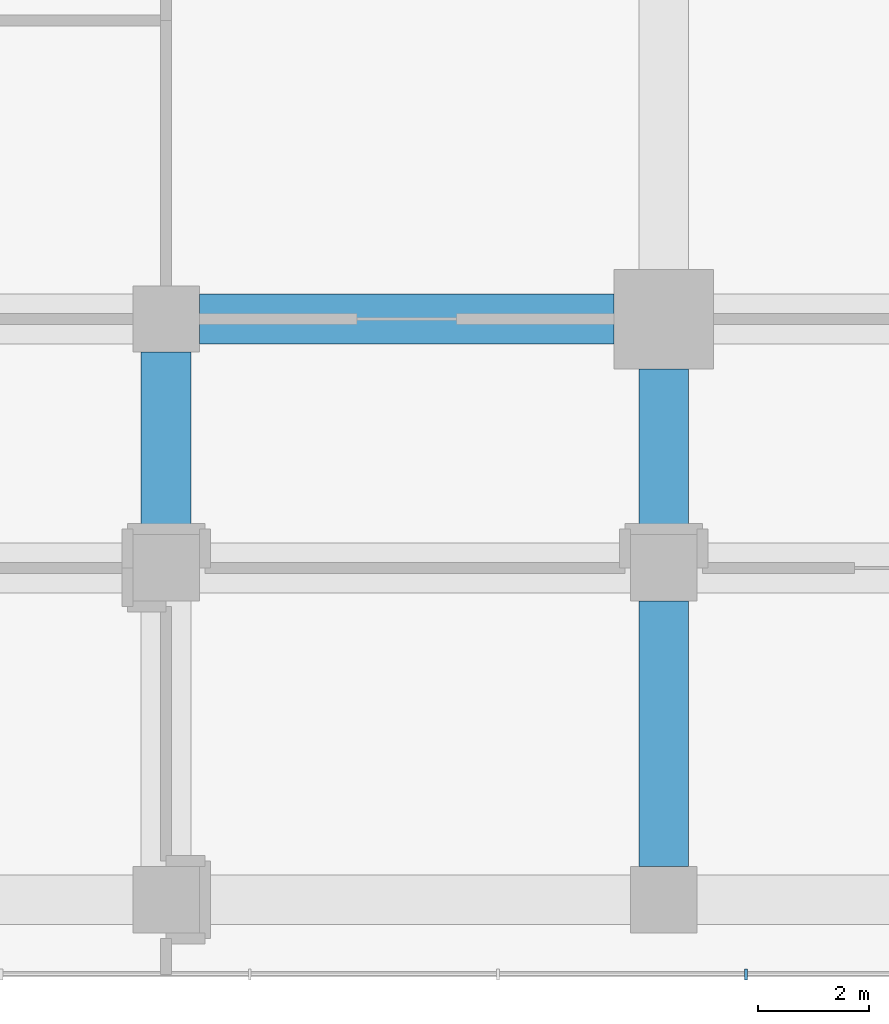
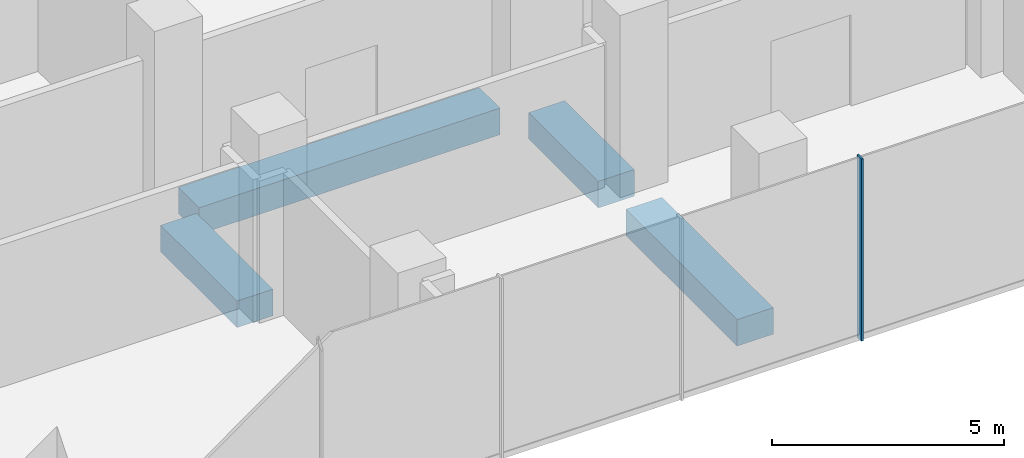
# One storey, part 6 of 42: 4 beams, 1 member, 1 element without a shape of its own.
"""IFC4 building model written with IfcOpenShell, lengths in metres."""

from ifc_helpers import new_model, si_unit, direction, frame, origin, origin_2d, place, context, subcontext, project, spatial, rectangle, extrude, material, layer, layer_set, material_profile, profile_set, type_object, element, aggregate, save


model = new_model("IFC4")

# Units and contexts
model_context = context("Model", 3, precision=1e-05, world=origin(), true_north=direction((0.0, 1.0)))
body_context = subcontext(model_context, "Body", "Model", "MODEL_VIEW")
ifc_project = project(units=[si_unit("LENGTHUNIT", "METRE"), si_unit("AREAUNIT", "SQUARE_METRE"), si_unit("VOLUMEUNIT", "CUBIC_METRE"), si_unit("PLANEANGLEUNIT", "RADIAN"), si_unit("MASSUNIT", "GRAM", prefix="KILO")], contexts=[model_context])

# Site, building, storey
site_placement = place(None, origin())
site = spatial("IfcSite", under=ifc_project, at=site_placement, CompositionType="ELEMENT")
building_placement = place(site_placement, origin())
building = spatial("IfcBuilding", under=site, at=building_placement, Name="Plateau Cross Towers", CompositionType="ELEMENT")
storey_placement = place(building_placement, frame((0.0, 0.0, 8.0)))
storey = spatial("IfcBuildingStorey", under=building, at=storey_placement, Name="L01", CompositionType="ELEMENT", Elevation=8.0)

# Curtain wall, member
ifc_material_1 = material(Name="Dark low-iron laminated glass", Category="glass")
ifc_layer = layer(ifc_material_1, 0.300048828125)
ifc_layer_set = layer_set([ifc_layer], Name="Dark low-iron laminated glass")
curtain_wall_type = type_object("IfcCurtainWallType", Name="Curtain wall structural silicone CW-C", PredefinedType="NOTDEFINED", material=ifc_layer_set)
curtain_wall_placement = place(storey_placement, origin())
curtain_wall = element("IfcCurtainWall", 1, at=curtain_wall_placement, inside=storey, type_object=curtain_wall_type, Name="ENV/P/L01/P-28_-118", PredefinedType="NOTDEFINED")
ifc_material_2 = material(Name="Black anodised aluminium", Category="aluminium")
ifc_material_profile_1 = material_profile(ifc_material_2, rectangle(XDim=0.050048828125, YDim=0.199951171875, at=origin_2d()), Name="MULLION 50x200")
ifc_profile_set_1 = profile_set([ifc_material_profile_1], Name="Black anodised aluminium")
member_type = type_object("IfcMemberType", Name="Mullion 50x200 structural silicone", PredefinedType="MULLION", material=ifc_profile_set_1)
member_placement = place(storey_placement, frame((55.487548828125, -11.85009765625, -0.35009765625), z_axis=(0.0, 0.0, 1.0), x_axis=(1.0, 0.0, 0.0)))
member = element("IfcMember", 2, at=member_placement, type_object=member_type, Name="CW-C mullion 14", PredefinedType="MULLION", context=body_context, shape_type="SweptSolid", body=[
    extrude(rectangle(XDim=0.050048828125, YDim=0.199951171875, at=origin_2d()), origin(), (0.0, 0.0, 1.0), 4.800048828125),
])
aggregate(curtain_wall, [member])

# Beams
ifc_material_3 = material(Name="Concrete C50/60", Category="concrete")
ifc_material_profile_2 = material_profile(ifc_material_3, rectangle(XDim=0.89990234375, YDim=0.699951171875, at=origin_2d()), Name="RC 900x700")
ifc_profile_set_2 = profile_set([ifc_material_profile_2], Name="Concrete C50/60")
beam_type = type_object("IfcBeamType", Name="Podium band beam RC 900x700", PredefinedType="BEAM", material=ifc_profile_set_2)
beam_1_placement = place(storey_placement, frame((45.60009765625, 0.0, -0.699951171875), z_axis=(1.0, 0.0, 0.0), x_axis=(0.0, 1.0, 0.0)))
element("IfcBeam", 3, at=beam_1_placement, inside=storey, type_object=beam_type, Name="PB24@L01", PredefinedType="BEAM", context=body_context, shape_type="SweptSolid", body=[
    extrude(rectangle(XDim=0.89990234375, YDim=0.699951171875, at=origin_2d()), origin(), (0.0, 0.0, 1.0), 7.5),
])
beam_2_placement = place(storey_placement, frame((45.0, -3.89990234375, -0.699951171875), z_axis=(0.0, 1.0, 0.0), x_axis=(-1.0, 0.0, 0.0)))
element("IfcBeam", 4, at=beam_2_placement, inside=storey, type_object=beam_type, Name="PB133@L01", PredefinedType="BEAM", context=body_context, shape_type="SweptSolid", body=[
    extrude(rectangle(XDim=0.89990234375, YDim=0.699951171875, at=origin_2d()), origin(), (0.0, 0.0, 1.0), 3.2998046875),
])
beam_3_placement = place(storey_placement, frame((54.0, -9.89990234375, -0.699951171875), z_axis=(0.0, 1.0, 0.0), x_axis=(-1.0, 0.0, 0.0)))
element("IfcBeam", 5, at=beam_3_placement, inside=storey, type_object=beam_type, Name="PB139@L01", PredefinedType="BEAM", context=body_context, shape_type="SweptSolid", body=[
    extrude(rectangle(XDim=0.89990234375, YDim=0.699951171875, at=origin_2d()), origin(), (0.0, 0.0, 1.0), 4.7998046875),
])
beam_4_placement = place(storey_placement, frame((54.0, -3.89990234375, -0.699951171875), z_axis=(0.0, 1.0, 0.0), x_axis=(-1.0, 0.0, 0.0)))
element("IfcBeam", 6, at=beam_4_placement, inside=storey, type_object=beam_type, Name="PB140@L01", PredefinedType="BEAM", context=body_context, shape_type="SweptSolid", body=[
    extrude(rectangle(XDim=0.89990234375, YDim=0.699951171875, at=origin_2d()), origin(), (0.0, 0.0, 1.0), 3.0),
])

save(model, "model.ifc")
